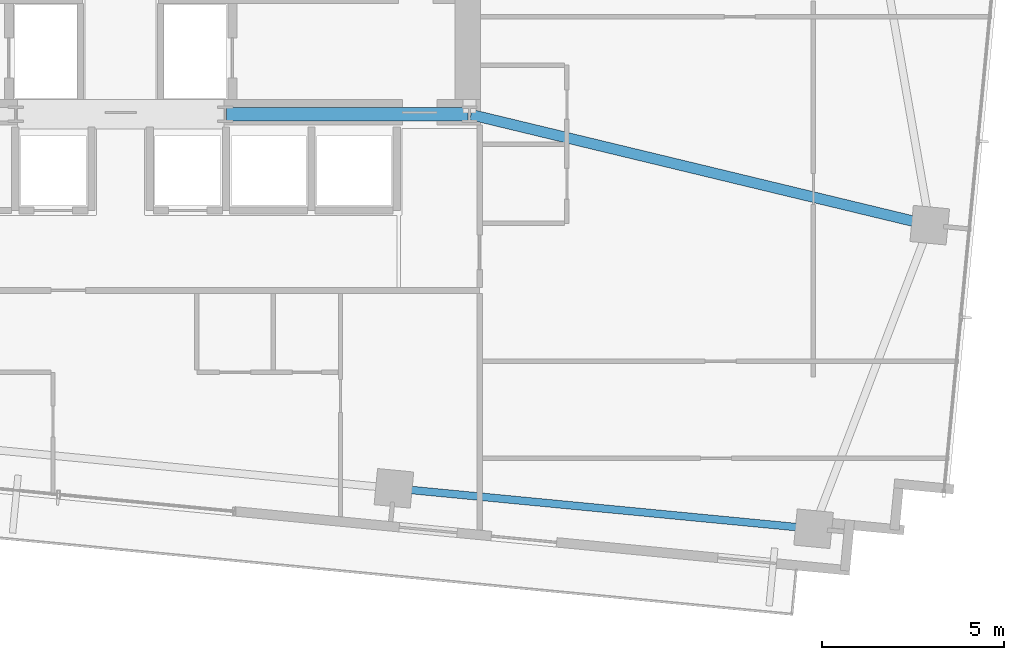
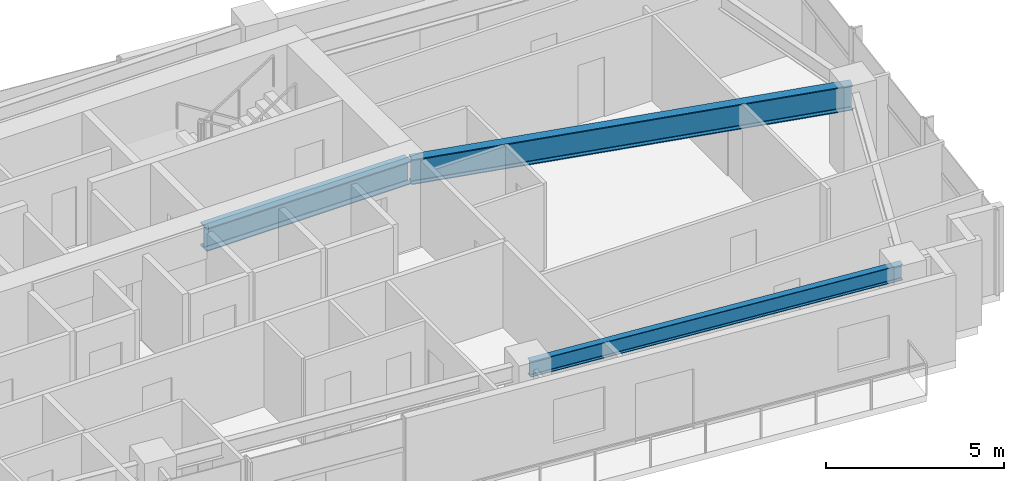
# One storey, part 10 of 20: 3 beams.
"""IFC4 building model written with IfcOpenShell, lengths in metres."""

from ifc_helpers import new_model, si_unit, direction, frame, origin, origin_2d, place, context, subcontext, project, spatial, i_section, extrude, source, transform, mapped, material, material_profile, profile_set, type_object, type_shapes, element, save


model = new_model("IFC4")

# Units and contexts
model_context = context("Model", 3, precision=1e-05, world=origin(), true_north=direction((0.0, 1.0)))
body_context = subcontext(model_context, "Body", "Model", "MODEL_VIEW")
ifc_project = project(units=[si_unit("LENGTHUNIT", "METRE"), si_unit("AREAUNIT", "SQUARE_METRE"), si_unit("VOLUMEUNIT", "CUBIC_METRE"), si_unit("PLANEANGLEUNIT", "RADIAN"), si_unit("MASSUNIT", "GRAM", prefix="KILO")], contexts=[model_context])

# Site, building, storey
site_placement = place(None, origin())
site = spatial("IfcSite", under=ifc_project, at=site_placement, CompositionType="ELEMENT")
building_placement = place(site_placement, origin())
building = spatial("IfcBuilding", under=site, at=building_placement, Name="Astriad Promenade Condominiums", CompositionType="ELEMENT")
storey_placement = place(building_placement, frame((0.0, 0.0, 127.800048828125)))
storey = spatial("IfcBuildingStorey", under=building, at=storey_placement, Name="L36", CompositionType="ELEMENT", Elevation=127.800048828125)

# Beams
ifc_material = material(Name="Steel ASTM A992 Grade 50", Category="steel")
ifc_material_profile_1 = material_profile(ifc_material, i_section(OverallWidth=0.3837890625, OverallDepth=0.785888671875, WebThickness=0.019775390625, FlangeThickness=0.033447265625, FilletRadius=0.021484375, at=origin_2d()), Name="W30X211")
ifc_profile_set_1 = profile_set([ifc_material_profile_1], Name="Steel ASTM A992 Grade 50")
beam_type_1 = type_object("IfcBeamType", Name="STEEL FLOOR GIRDER W30X211", PredefinedType="BEAM", material=ifc_profile_set_1)
shared_shape_1 = source(origin(), body_context, "Body", "SweptSolid", [
    extrude(i_section(OverallWidth=0.3837890625, OverallDepth=0.785888671875, WebThickness=0.019775390625, FlangeThickness=0.033447265625, FilletRadius=0.021484375, at=origin_2d()), origin(), (0.0, 0.0, 1.0), 6.64013671875),
])
type_shapes(beam_type_1, [shared_shape_1])
beam_1_placement = place(storey_placement, frame((38.919921875, 17.39990234375, 2.546875), z_axis=(1.0, 0.0, 0.0), x_axis=(0.0, 1.0, 0.0)))
element("IfcBeam", 1, at=beam_1_placement, inside=storey, type_object=beam_type_1, Name="Core Ring Beam CG-S3-L36", PredefinedType="BEAM", context=body_context, shape_type="MappedRepresentation", body=[
    mapped(shared_shape_1, transform((0.0, 0.0, 0.0), scale=1.0)),
])
ifc_material_profile_2 = material_profile(ifc_material, i_section(OverallWidth=0.210693359375, OverallDepth=0.53955078125, WebThickness=0.01171875, FlangeThickness=0.018798828125, FilletRadius=0.0166015625, at=origin_2d()), Name="W21X73")
ifc_profile_set_2 = profile_set([ifc_material_profile_2], Name="Steel ASTM A992 Grade 50")
beam_type_2 = type_object("IfcBeamType", Name="STEEL SPANDREL BEAM W21X73", PredefinedType="SPANDREL", material=ifc_profile_set_2)
shared_shape_2 = source(origin(), body_context, "Body", "SweptSolid", [
    extrude(i_section(OverallWidth=0.210693359375, OverallDepth=0.53955078125, WebThickness=0.01171875, FlangeThickness=0.018798828125, FilletRadius=0.0166015625, at=origin_2d()), origin(), (0.0, 0.0, 1.0), 11.519775390625),
])
type_shapes(beam_type_2, [shared_shape_2])
beam_2_placement = place(storey_placement, frame((43.560302734375, 7.10400390625, 2.670166015625), z_axis=(0.995397217389, -0.095835168988, 0.0), x_axis=(0.095835168988, 0.995397217389, 0.0)))
element("IfcBeam", 2, at=beam_2_placement, inside=storey, type_object=beam_type_2, Name="Perimeter Spandrel Beam SP-S4-L36", PredefinedType="SPANDREL", context=body_context, shape_type="MappedRepresentation", body=[
    mapped(shared_shape_2, transform((0.0, 0.0, 0.0), scale=1.0)),
])
ifc_material_profile_3 = material_profile(ifc_material, i_section(OverallWidth=0.2919921875, OverallDepth=0.85888671875, WebThickness=0.01708984375, FlangeThickness=0.031005859375, FilletRadius=0.02294921875, at=origin_2d()), Name="W33X169")
ifc_profile_set_3 = profile_set([ifc_material_profile_3], Name="Steel ASTM A992 Grade 50")
beam_type_3 = type_object("IfcBeamType", Name="STEEL PRIMARY GIRDER W33X169", PredefinedType="BEAM", material=ifc_profile_set_3)
shared_shape_3 = source(origin(), body_context, "Body", "SweptSolid", [
    extrude(i_section(OverallWidth=0.2919921875, OverallDepth=0.85888671875, WebThickness=0.01708984375, FlangeThickness=0.031005859375, FilletRadius=0.02294921875, at=origin_2d()), origin(), (0.0, 0.0, 1.0), 12.94482421875),
])
type_shapes(beam_type_3, [shared_shape_3])
beam_3_placement = place(storey_placement, frame((58.223388671875, 14.357666015625, 2.510498046875), z_axis=(-0.972164476402, 0.234299446908, 0.0), x_axis=(-0.234299446908, -0.972164476402, 0.0)))
element("IfcBeam", 3, at=beam_3_placement, inside=storey, type_object=beam_type_3, Name="Primary Floor Girder PG-EM-L36", PredefinedType="BEAM", context=body_context, shape_type="MappedRepresentation", body=[
    mapped(shared_shape_3, transform((0.0, 0.0, 0.0), scale=1.0)),
])

save(model, "model.ifc")
